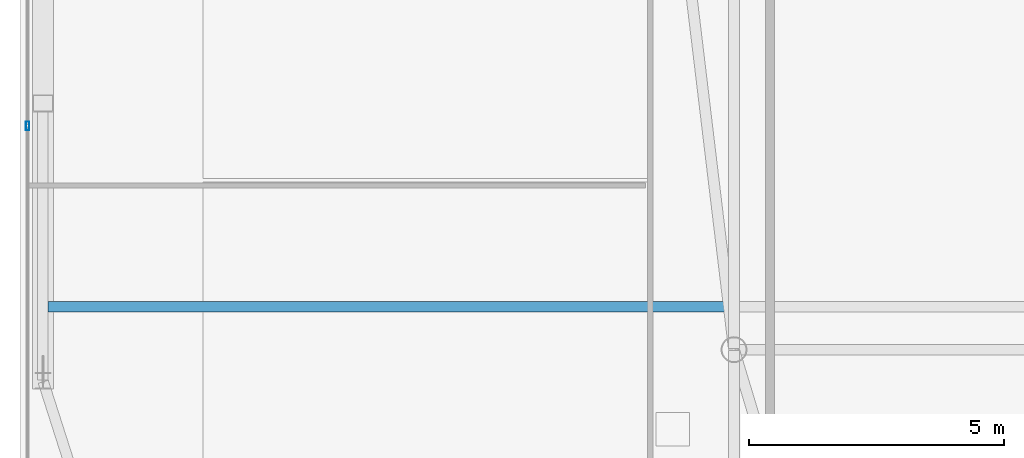
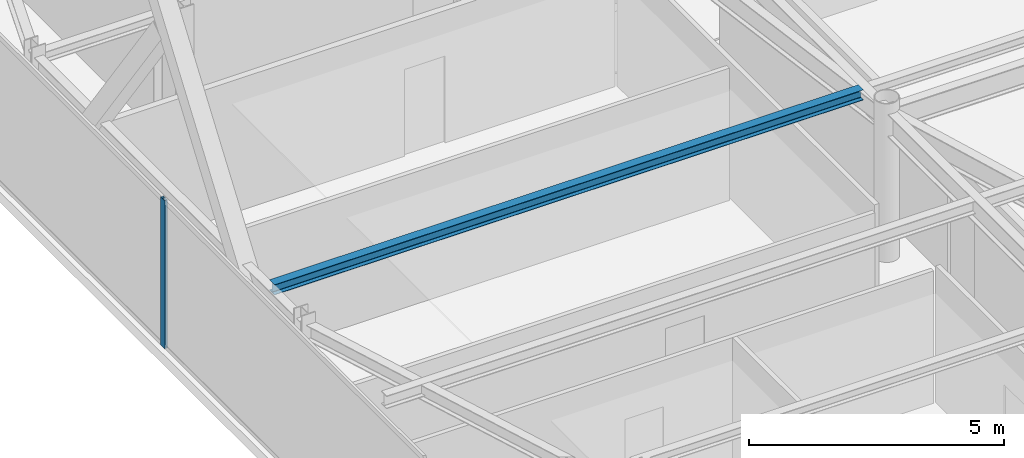
# One storey, part 9 of 25: 1 beam, 1 member, 1 element without a shape of its own.
"""IFC4 building model written with IfcOpenShell, lengths in metres."""

from ifc_helpers import new_model, si_unit, direction, frame, origin, origin_2d, place, context, subcontext, project, spatial, hollow_rectangle, i_section, extrude, source, transform, mapped, material, layer, layer_set, material_profile, profile_set, type_object, type_shapes, element, aggregate, save


model = new_model("IFC4")

# Units and contexts
model_context = context("Model", 3, precision=1e-05, world=origin(), true_north=direction((0.0, 1.0)))
body_context = subcontext(model_context, "Body", "Model", "MODEL_VIEW")
ifc_project = project(units=[si_unit("LENGTHUNIT", "METRE"), si_unit("AREAUNIT", "SQUARE_METRE"), si_unit("VOLUMEUNIT", "CUBIC_METRE"), si_unit("PLANEANGLEUNIT", "RADIAN"), si_unit("MASSUNIT", "GRAM", prefix="KILO")], contexts=[model_context])

# Site, building, storey
site_placement = place(None, origin())
site = spatial("IfcSite", under=ifc_project, at=site_placement, CompositionType="ELEMENT")
building_placement = place(site_placement, origin())
building = spatial("IfcBuilding", under=site, at=building_placement, Name="Varnel Quay Broadcast Tower", CompositionType="ELEMENT")
storey_placement = place(building_placement, frame((0.0, 0.0, 258.39990234375)))
storey = spatial("IfcBuildingStorey", under=building, at=storey_placement, Name="L64", CompositionType="ELEMENT", Elevation=258.39990234375)

# Beam
ifc_material_1 = material(Name="Structural Steel CSA G40.21 350W", Category="steel")
ifc_material_profile_1 = material_profile(ifc_material_1, i_section(OverallWidth=0.201904296875, OverallDepth=0.2470703125, WebThickness=0.00732421875, FlangeThickness=0.010986328125, FilletRadius=0.010986328125, at=origin_2d()), Name="W250X49")
ifc_profile_set_1 = profile_set([ifc_material_profile_1], Name="Structural Steel CSA G40.21 350W")
beam_type = type_object("IfcBeamType", Name="Beam_W250X49", PredefinedType="JOIST", material=ifc_profile_set_1)
shared_shape_1 = source(origin(), body_context, "Body", "SweptSolid", [
    extrude(i_section(OverallWidth=0.201904296875, OverallDepth=0.2470703125, WebThickness=0.00732421875, FlangeThickness=0.010986328125, FilletRadius=0.010986328125, at=origin_2d()), origin(), (0.0, 0.0, 1.0), 13.351318359375),
])
type_shapes(beam_type, [shared_shape_1])
beam_placement = place(storey_placement, frame((12.547607421875, 26.449951171875, 3.426513671875), z_axis=(1.0, 0.0, 0.0), x_axis=(0.0, 1.0, 0.0)))
element("IfcBeam", 1, at=beam_placement, inside=storey, type_object=beam_type, Name="L64 West Floor Joist 3", PredefinedType="JOIST", context=body_context, shape_type="MappedRepresentation", body=[
    mapped(shared_shape_1, transform((0.0, 0.0, 0.0), x_axis=(1.0, 0.0, 0.0), y_axis=(0.0, 1.0, 0.0), z_axis=(0.0, 0.0, 1.0), scale=1.0)),
])

# Curtain wall, member
ifc_material_2 = material(Name="Anodised Bronze Aluminium 6063-T6", Category="aluminium")
ifc_layer = layer(ifc_material_2, 0.18994140625, Name="Anodised Bronze Aluminium 6063-T6")
ifc_layer_set = layer_set([ifc_layer], Name="Anodised Bronze Aluminium 6063-T6")
curtain_wall_type = type_object("IfcCurtainWallType", Name="CW_UpperTower", PredefinedType="NOTDEFINED", material=ifc_layer_set)
curtain_wall_placement = place(storey_placement, origin())
curtain_wall = element("IfcCurtainWall", 2, at=curtain_wall_placement, inside=storey, type_object=curtain_wall_type, Name="L64 West Unitised Curtain Wall", PredefinedType="NOTDEFINED")
ifc_material_profile_2 = material_profile(ifc_material_2, hollow_rectangle(XDim=0.06494140625, YDim=0.1650390625, WallThickness=0.00341796875, at=origin_2d()), Name="ALU65X165X3.5")
ifc_profile_set_2 = profile_set([ifc_material_profile_2], Name="Anodised Bronze Aluminium 6063-T6")
member_type = type_object("IfcMemberType", Name="Mull_CWS-03", PredefinedType="MULLION", material=ifc_profile_set_2)
shared_shape_2 = source(origin(), body_context, "Body", "SweptSolid", [
    extrude(hollow_rectangle(XDim=0.06494140625, YDim=0.1650390625, WallThickness=0.00341796875, at=origin_2d()), origin(), (0.0, 0.0, 1.0), 3.550048828125),
])
type_shapes(member_type, [shared_shape_2])
member_placement = place(storey_placement, frame((12.14990234375, 30.0, 0.0), z_axis=(0.0, 0.0, 1.0), x_axis=(-1.0, 0.0, 0.0)))
member = element("IfcMember", 3, at=member_placement, type_object=member_type, Name="CWS-03 mullion 2", PredefinedType="MULLION", context=body_context, shape_type="MappedRepresentation", body=[
    mapped(shared_shape_2, transform((0.0, 0.0, 0.0), x_axis=(1.0, 0.0, 0.0), y_axis=(0.0, 1.0, 0.0), z_axis=(0.0, 0.0, 1.0), scale=1.0)),
])
aggregate(curtain_wall, [member])

save(model, "model.ifc")
